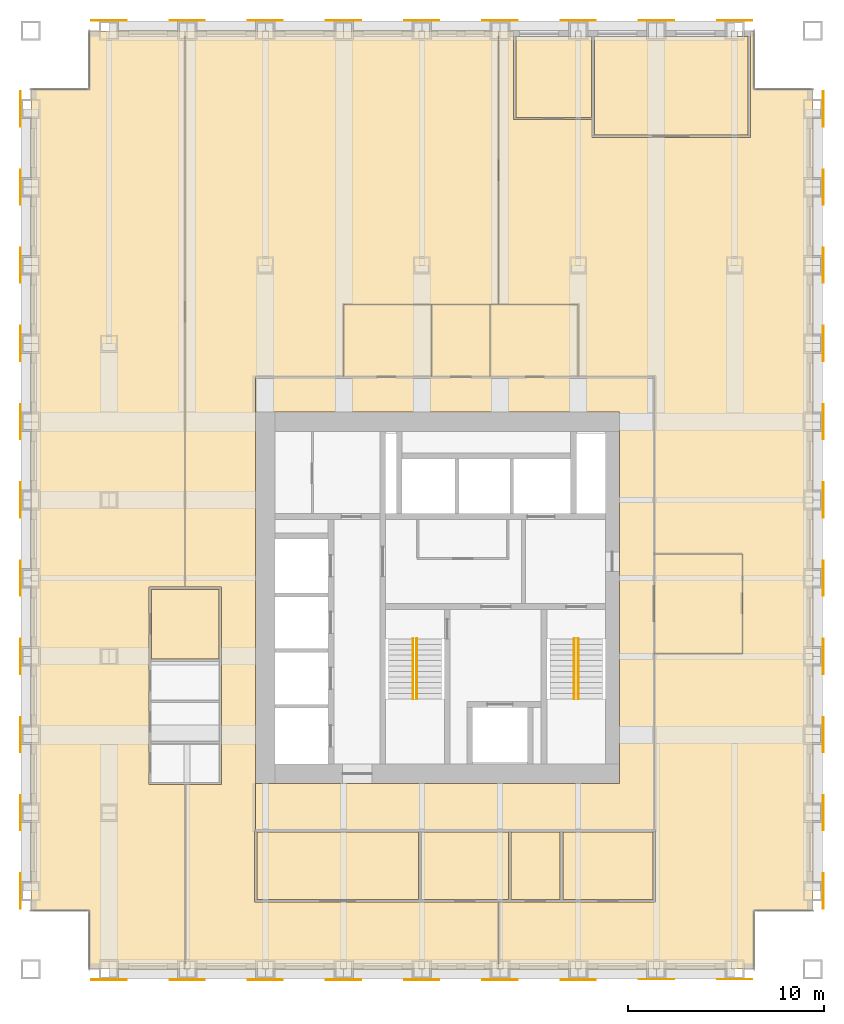
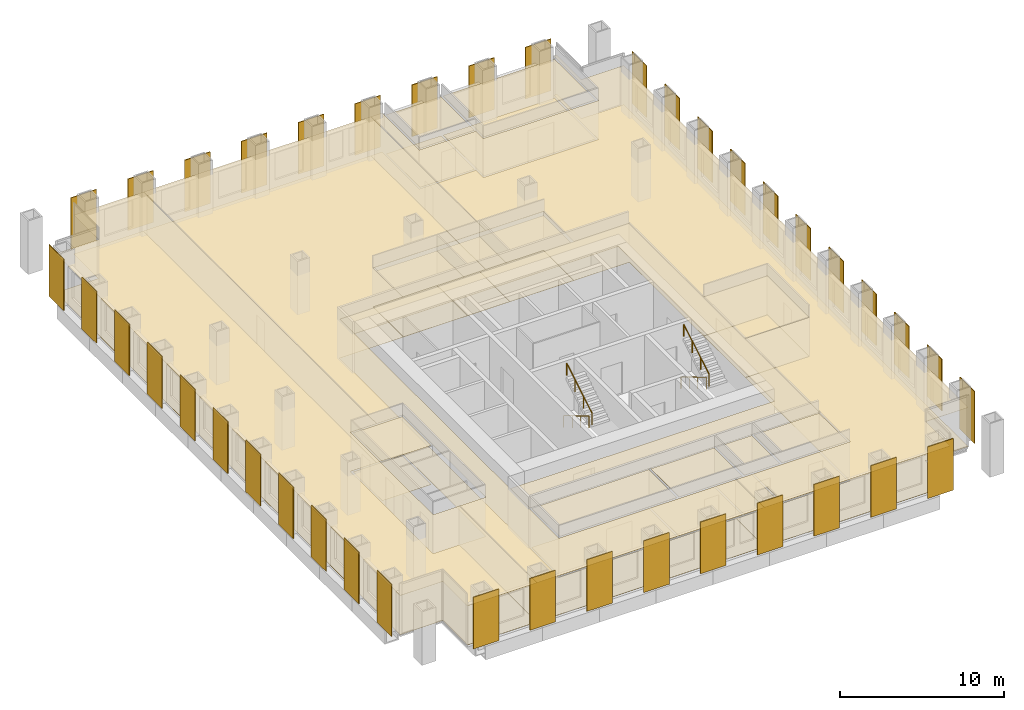
# One storey, part 13 of 13: 40 shading devices, 29 coverings, 4 railings.
"""IFC4 building model written with IfcOpenShell, lengths in metres."""

from ifc_helpers import new_model, si_unit, direction, frame, origin, origin_2d, place, context, subcontext, project, spatial, polyline, rectangle, circle, outline, extrude, material, layer, layer_set, type_object, element, save


model = new_model("IFC4")

# Units and contexts
model_context = context("Model", 3, precision=1e-05, world=origin(), true_north=direction((0.0, 1.0)))
body_context = subcontext(model_context, "Body", "Model", "MODEL_VIEW")
ifc_project = project(units=[si_unit("LENGTHUNIT", "METRE"), si_unit("AREAUNIT", "SQUARE_METRE"), si_unit("VOLUMEUNIT", "CUBIC_METRE"), si_unit("PLANEANGLEUNIT", "RADIAN"), si_unit("MASSUNIT", "GRAM", prefix="KILO")], contexts=[model_context])

# Site, building, storey
site_placement = place(None, origin())
site = spatial("IfcSite", under=ifc_project, at=site_placement, CompositionType="ELEMENT")
building_placement = place(site_placement, origin())
building = spatial("IfcBuilding", under=site, at=building_placement, Name="Rimbunsela Tower", CompositionType="ELEMENT")
storey_placement = place(building_placement, frame((0.0, 0.0, 191.800048828125)))
storey = spatial("IfcBuildingStorey", under=building, at=storey_placement, Name="L46", CompositionType="ELEMENT", Elevation=191.800048828125)

# Coverings
ifc_material_1 = material(Name="Nylon carpet tile", Category="textile")
ifc_layer_1 = layer(ifc_material_1, 0.010009765625)
ifc_layer_set_1 = layer_set([ifc_layer_1], Name="Carpet tile 10")
covering_type_1 = type_object("IfcCoveringType", Name="Carpet tile 10", PredefinedType="FLOORING", material=ifc_layer_set_1)
covering_1_placement = place(storey_placement, origin())
element("IfcCovering", 1, at=covering_1_placement, inside=storey, type_object=covering_type_1, Name="Floor finish Open office", PredefinedType="FLOORING", context=body_context, shape_type="SweptSolid", body=[
    extrude(outline(polyline([(29.925048828125, 56.0), (30.699951171875, 56.0), (30.699951171875, 51.449951171875), (34.699951171875, 51.449951171875), (34.699951171875, 50.550048828125), (37.89990234375, 50.550048828125), (42.800048828125, 50.550048828125), (42.800048828125, 56.0), (43.0, 56.0), (43.0, 53.0), (46.0, 53.0), (46.0, 11.0), (43.0, 11.0), (43.0, 8.0), (37.89990234375, 8.0), (29.925048828125, 8.0), (29.925048828125, 11.449951171875), (30.449951171875, 11.449951171875), (30.550048828125, 11.449951171875), (33.10009765625, 11.449951171875), (33.199951171875, 11.449951171875), (37.89990234375, 11.449951171875), (37.949951171875, 11.449951171875), (37.949951171875, 15.14990234375), (37.89990234375, 15.14990234375), (37.89990234375, 24.14990234375), (42.39990234375, 24.14990234375), (42.39990234375, 29.25), (37.89990234375, 29.25), (37.89990234375, 38.300048828125), (34.0, 38.300048828125), (34.0, 42.0), (29.925048828125, 42.0), (29.925048828125, 56.0)])), origin(), (0.0, 0.0, 1.0), 0.010009765625),
])
covering_2_placement = place(storey_placement, origin())
element("IfcCovering", 2, at=covering_2_placement, inside=storey, type_object=covering_type_1, Name="Floor finish Open office", PredefinedType="FLOORING", context=body_context, shape_type="SweptSolid", body=[
    extrude(outline(polyline([(13.89990234375, 8.0), (9.0, 8.0), (9.0, 11.0), (6.0, 11.0), (6.0, 53.0), (9.0, 53.0), (9.0, 56.0), (13.89990234375, 56.0), (13.89990234375, 27.550048828125), (12.050048828125, 27.550048828125), (12.050048828125, 23.85009765625), (12.050048828125, 23.75), (12.050048828125, 21.75), (12.050048828125, 21.64990234375), (12.050048828125, 19.64990234375), (12.050048828125, 19.550048828125), (12.050048828125, 17.449951171875), (13.89990234375, 17.449951171875), (13.89990234375, 8.0)])), origin(), (0.0, 0.0, 1.0), 0.010009765625),
])
covering_3_placement = place(storey_placement, origin())
element("IfcCovering", 3, at=covering_3_placement, inside=storey, type_object=covering_type_1, Name="Floor finish Open office", PredefinedType="FLOORING", context=body_context, shape_type="SweptSolid", body=[
    extrude(outline(polyline([(17.5, 8.0), (13.89990234375, 8.0), (13.89990234375, 17.449951171875), (15.75, 17.449951171875), (15.75, 19.550048828125), (15.75, 19.64990234375), (15.75, 21.64990234375), (15.75, 21.75), (15.75, 23.75), (15.75, 23.85009765625), (15.75, 27.550048828125), (13.89990234375, 27.550048828125), (13.89990234375, 56.0), (17.5, 56.0), (29.925048828125, 56.0), (29.925048828125, 42.0), (22.0, 42.0), (22.0, 38.300048828125), (17.5, 38.300048828125), (17.5, 36.5), (17.5, 17.5), (17.5, 15.14990234375), (17.449951171875, 15.14990234375), (17.449951171875, 11.449951171875), (17.5, 11.449951171875), (25.85009765625, 11.449951171875), (25.949951171875, 11.449951171875), (29.925048828125, 11.449951171875), (29.925048828125, 8.0), (17.5, 8.0)])), origin(), (0.0, 0.0, 1.0), 0.010009765625),
])
covering_4_placement = place(storey_placement, origin())
element("IfcCovering", 4, at=covering_4_placement, inside=storey, type_object=covering_type_1, Name="Floor finish Reception", PredefinedType="FLOORING", context=body_context, shape_type="SweptSolid", body=[
    extrude(outline(polyline([(42.39990234375, 24.14990234375), (42.39990234375, 29.25), (37.89990234375, 29.25), (37.89990234375, 24.14990234375), (42.39990234375, 24.14990234375)])), origin(), (0.0, 0.0, 1.0), 0.010009765625),
])
covering_5_placement = place(storey_placement, origin())
element("IfcCovering", 5, at=covering_5_placement, inside=storey, type_object=covering_type_1, Name="Floor finish Executive office", PredefinedType="FLOORING", context=body_context, shape_type="SweptSolid", body=[
    extrude(outline(polyline([(34.675048828125, 51.574951171875), (34.675048828125, 55.699951171875), (30.824951171875, 55.699951171875), (30.824951171875, 51.574951171875), (34.675048828125, 51.574951171875)])), origin(), (0.0, 0.0, 1.0), 0.010009765625),
])
covering_6_placement = place(storey_placement, origin())
element("IfcCovering", 6, at=covering_6_placement, inside=storey, type_object=covering_type_1, Name="Floor finish Boardroom", PredefinedType="FLOORING", context=body_context, shape_type="SweptSolid", body=[
    extrude(outline(polyline([(42.675048828125, 50.675048828125), (42.675048828125, 55.699951171875), (34.824951171875, 55.699951171875), (34.824951171875, 50.675048828125), (42.675048828125, 50.675048828125)])), origin(), (0.0, 0.0, 1.0), 0.010009765625),
])
covering_7_placement = place(storey_placement, origin())
element("IfcCovering", 7, at=covering_7_placement, inside=storey, type_object=covering_type_1, Name="Floor finish Training room", PredefinedType="FLOORING", context=body_context, shape_type="SweptSolid", body=[
    extrude(outline(polyline([(25.824951171875, 11.574951171875), (25.824951171875, 15.02490234375), (17.574951171875, 15.02490234375), (17.574951171875, 11.574951171875), (25.824951171875, 11.574951171875)])), origin(), (0.0, 0.0, 1.0), 0.010009765625),
])
covering_8_placement = place(storey_placement, origin())
element("IfcCovering", 8, at=covering_8_placement, inside=storey, type_object=covering_type_1, Name="Floor finish Pantry", PredefinedType="FLOORING", context=body_context, shape_type="SweptSolid", body=[
    extrude(outline(polyline([(30.425048828125, 11.574951171875), (30.425048828125, 15.02490234375), (25.97509765625, 15.02490234375), (25.97509765625, 11.574951171875), (30.425048828125, 11.574951171875)])), origin(), (0.0, 0.0, 1.0), 0.010009765625),
])
covering_9_placement = place(storey_placement, origin())
element("IfcCovering", 9, at=covering_9_placement, inside=storey, type_object=covering_type_1, Name="Floor finish Print and copy room", PredefinedType="FLOORING", context=body_context, shape_type="SweptSolid", body=[
    extrude(outline(polyline([(33.074951171875, 11.574951171875), (33.074951171875, 15.02490234375), (30.574951171875, 15.02490234375), (30.574951171875, 11.574951171875), (33.074951171875, 11.574951171875)])), origin(), (0.0, 0.0, 1.0), 0.010009765625),
])
covering_10_placement = place(storey_placement, origin())
element("IfcCovering", 10, at=covering_10_placement, inside=storey, type_object=covering_type_1, Name="Floor finish Office", PredefinedType="FLOORING", context=body_context, shape_type="SweptSolid", body=[
    extrude(outline(polyline([(37.824951171875, 11.574951171875), (37.824951171875, 15.02490234375), (33.22509765625, 15.02490234375), (33.22509765625, 11.574951171875), (37.824951171875, 11.574951171875)])), origin(), (0.0, 0.0, 1.0), 0.010009765625),
])
covering_11_placement = place(storey_placement, origin())
element("IfcCovering", 11, at=covering_11_placement, inside=storey, type_object=covering_type_1, Name="Floor finish Meeting room", PredefinedType="FLOORING", context=body_context, shape_type="SweptSolid", body=[
    extrude(outline(polyline([(15.625, 23.875), (15.625, 27.425048828125), (12.175048828125, 27.425048828125), (12.175048828125, 23.875), (15.625, 23.875)])), origin(), (0.0, 0.0, 1.0), 0.010009765625),
])
ifc_material_2 = material(Name="Mineral fibre ceiling tile", Category="gypsum")
ifc_layer_2 = layer(ifc_material_2, 0.02001953125)
ifc_layer_set_2 = layer_set([ifc_layer_2], Name="Ceiling 600 grid")
covering_type_2 = type_object("IfcCoveringType", Name="Ceiling 600 grid", PredefinedType="CEILING", material=ifc_layer_set_2)
covering_12_placement = place(storey_placement, frame((0.0, 0.0, 2.89990234375)))
element("IfcCovering", 12, at=covering_12_placement, inside=storey, type_object=covering_type_2, Name="Ceiling U-shaped corridor", PredefinedType="CEILING", context=body_context, shape_type="SweptSolid", body=[
    extrude(outline(polyline([(37.89990234375, 38.300048828125), (37.89990234375, 15.10009765625), (17.5, 15.10009765625), (17.5, 17.5), (36.10009765625, 17.5), (36.10009765625, 36.5), (17.5, 36.5), (17.5, 38.300048828125), (37.89990234375, 38.300048828125)])), origin(), (0.0, 0.0, 1.0), 0.02001953125),
])
covering_13_placement = place(storey_placement, frame((0.0, 0.0, 2.89990234375)))
element("IfcCovering", 13, at=covering_13_placement, inside=storey, type_object=covering_type_2, Name="Ceiling Open office", PredefinedType="CEILING", context=body_context, shape_type="SweptSolid", body=[
    extrude(outline(polyline([(29.925048828125, 56.0), (30.699951171875, 56.0), (30.699951171875, 51.449951171875), (34.699951171875, 51.449951171875), (34.699951171875, 50.550048828125), (37.89990234375, 50.550048828125), (42.800048828125, 50.550048828125), (42.800048828125, 56.0), (43.0, 56.0), (43.0, 53.0), (46.0, 53.0), (46.0, 11.0), (43.0, 11.0), (43.0, 8.0), (37.89990234375, 8.0), (29.925048828125, 8.0), (29.925048828125, 11.449951171875), (30.449951171875, 11.449951171875), (30.550048828125, 11.449951171875), (33.10009765625, 11.449951171875), (33.199951171875, 11.449951171875), (37.89990234375, 11.449951171875), (37.949951171875, 11.449951171875), (37.949951171875, 15.14990234375), (37.89990234375, 15.14990234375), (37.89990234375, 24.14990234375), (42.39990234375, 24.14990234375), (42.39990234375, 29.25), (37.89990234375, 29.25), (37.89990234375, 38.300048828125), (34.0, 38.300048828125), (34.0, 42.0), (29.925048828125, 42.0), (29.925048828125, 56.0)])), origin(), (0.0, 0.0, 1.0), 0.02001953125),
])
covering_14_placement = place(storey_placement, frame((0.0, 0.0, 2.89990234375)))
element("IfcCovering", 14, at=covering_14_placement, inside=storey, type_object=covering_type_2, Name="Ceiling Open office", PredefinedType="CEILING", context=body_context, shape_type="SweptSolid", body=[
    extrude(outline(polyline([(13.89990234375, 8.0), (9.0, 8.0), (9.0, 11.0), (6.0, 11.0), (6.0, 53.0), (9.0, 53.0), (9.0, 56.0), (13.89990234375, 56.0), (13.89990234375, 27.550048828125), (12.050048828125, 27.550048828125), (12.050048828125, 23.85009765625), (12.050048828125, 23.75), (12.050048828125, 21.75), (12.050048828125, 21.64990234375), (12.050048828125, 19.64990234375), (12.050048828125, 19.550048828125), (12.050048828125, 17.449951171875), (13.89990234375, 17.449951171875), (13.89990234375, 8.0)])), origin(), (0.0, 0.0, 1.0), 0.02001953125),
])
covering_15_placement = place(storey_placement, frame((0.0, 0.0, 2.89990234375)))
element("IfcCovering", 15, at=covering_15_placement, inside=storey, type_object=covering_type_2, Name="Ceiling Open office", PredefinedType="CEILING", context=body_context, shape_type="SweptSolid", body=[
    extrude(outline(polyline([(17.5, 8.0), (13.89990234375, 8.0), (13.89990234375, 17.449951171875), (15.75, 17.449951171875), (15.75, 19.550048828125), (15.75, 19.64990234375), (15.75, 21.64990234375), (15.75, 21.75), (15.75, 23.75), (15.75, 23.85009765625), (15.75, 27.550048828125), (13.89990234375, 27.550048828125), (13.89990234375, 56.0), (17.5, 56.0), (29.925048828125, 56.0), (29.925048828125, 42.0), (22.0, 42.0), (22.0, 38.300048828125), (17.5, 38.300048828125), (17.5, 36.5), (17.5, 17.5), (17.5, 15.14990234375), (17.449951171875, 15.14990234375), (17.449951171875, 11.449951171875), (17.5, 11.449951171875), (25.85009765625, 11.449951171875), (25.949951171875, 11.449951171875), (29.925048828125, 11.449951171875), (29.925048828125, 8.0), (17.5, 8.0)])), origin(), (0.0, 0.0, 1.0), 0.02001953125),
])
covering_16_placement = place(storey_placement, frame((0.0, 0.0, 2.89990234375)))
element("IfcCovering", 16, at=covering_16_placement, inside=storey, type_object=covering_type_2, Name="Ceiling Reception", PredefinedType="CEILING", context=body_context, shape_type="SweptSolid", body=[
    extrude(outline(polyline([(42.39990234375, 24.14990234375), (42.39990234375, 29.25), (37.89990234375, 29.25), (37.89990234375, 24.14990234375), (42.39990234375, 24.14990234375)])), origin(), (0.0, 0.0, 1.0), 0.02001953125),
])
covering_17_placement = place(storey_placement, frame((0.0, 0.0, 2.89990234375)))
element("IfcCovering", 17, at=covering_17_placement, inside=storey, type_object=covering_type_2, Name="Ceiling Executive office", PredefinedType="CEILING", context=body_context, shape_type="SweptSolid", body=[
    extrude(outline(polyline([(34.675048828125, 51.574951171875), (34.675048828125, 55.699951171875), (30.824951171875, 55.699951171875), (30.824951171875, 51.574951171875), (34.675048828125, 51.574951171875)])), origin(), (0.0, 0.0, 1.0), 0.02001953125),
])
covering_18_placement = place(storey_placement, frame((0.0, 0.0, 2.89990234375)))
element("IfcCovering", 18, at=covering_18_placement, inside=storey, type_object=covering_type_2, Name="Ceiling Boardroom", PredefinedType="CEILING", context=body_context, shape_type="SweptSolid", body=[
    extrude(outline(polyline([(42.675048828125, 50.675048828125), (42.675048828125, 55.699951171875), (34.824951171875, 55.699951171875), (34.824951171875, 50.675048828125), (42.675048828125, 50.675048828125)])), origin(), (0.0, 0.0, 1.0), 0.02001953125),
])
covering_19_placement = place(storey_placement, frame((0.0, 0.0, 2.89990234375)))
element("IfcCovering", 19, at=covering_19_placement, inside=storey, type_object=covering_type_2, Name="Ceiling Training room", PredefinedType="CEILING", context=body_context, shape_type="SweptSolid", body=[
    extrude(outline(polyline([(25.824951171875, 11.574951171875), (25.824951171875, 15.02490234375), (17.574951171875, 15.02490234375), (17.574951171875, 11.574951171875), (25.824951171875, 11.574951171875)])), origin(), (0.0, 0.0, 1.0), 0.02001953125),
])
covering_20_placement = place(storey_placement, frame((0.0, 0.0, 2.89990234375)))
element("IfcCovering", 20, at=covering_20_placement, inside=storey, type_object=covering_type_2, Name="Ceiling Pantry", PredefinedType="CEILING", context=body_context, shape_type="SweptSolid", body=[
    extrude(outline(polyline([(30.425048828125, 11.574951171875), (30.425048828125, 15.02490234375), (25.97509765625, 15.02490234375), (25.97509765625, 11.574951171875), (30.425048828125, 11.574951171875)])), origin(), (0.0, 0.0, 1.0), 0.02001953125),
])
covering_21_placement = place(storey_placement, frame((0.0, 0.0, 2.89990234375)))
element("IfcCovering", 21, at=covering_21_placement, inside=storey, type_object=covering_type_2, Name="Ceiling Print and copy room", PredefinedType="CEILING", context=body_context, shape_type="SweptSolid", body=[
    extrude(outline(polyline([(33.074951171875, 11.574951171875), (33.074951171875, 15.02490234375), (30.574951171875, 15.02490234375), (30.574951171875, 11.574951171875), (33.074951171875, 11.574951171875)])), origin(), (0.0, 0.0, 1.0), 0.02001953125),
])
covering_22_placement = place(storey_placement, frame((0.0, 0.0, 2.89990234375)))
element("IfcCovering", 22, at=covering_22_placement, inside=storey, type_object=covering_type_2, Name="Ceiling Office", PredefinedType="CEILING", context=body_context, shape_type="SweptSolid", body=[
    extrude(outline(polyline([(37.824951171875, 11.574951171875), (37.824951171875, 15.02490234375), (33.22509765625, 15.02490234375), (33.22509765625, 11.574951171875), (37.824951171875, 11.574951171875)])), origin(), (0.0, 0.0, 1.0), 0.02001953125),
])
covering_23_placement = place(storey_placement, frame((0.0, 0.0, 2.89990234375)))
element("IfcCovering", 23, at=covering_23_placement, inside=storey, type_object=covering_type_2, Name="Ceiling Meeting room", PredefinedType="CEILING", context=body_context, shape_type="SweptSolid", body=[
    extrude(outline(polyline([(15.625, 23.875), (15.625, 27.425048828125), (12.175048828125, 27.425048828125), (12.175048828125, 23.875), (15.625, 23.875)])), origin(), (0.0, 0.0, 1.0), 0.02001953125),
])
ifc_material_3 = material(Name="Moisture-resistant plasterboard ceiling", Category="gypsum")
ifc_layer_3 = layer(ifc_material_3, 0.012451171875)
ifc_layer_set_3 = layer_set([ifc_layer_3], Name="Ceiling moisture-resistant board")
covering_type_3 = type_object("IfcCoveringType", Name="Ceiling moisture-resistant board", PredefinedType="CEILING", material=ifc_layer_set_3)
covering_24_placement = place(storey_placement, frame((0.0, 0.0, 2.599853515625)))
element("IfcCovering", 24, at=covering_24_placement, inside=storey, type_object=covering_type_3, Name="Ceiling Female WC", PredefinedType="CEILING", context=body_context, shape_type="SweptSolid", body=[
    extrude(outline(polyline([(26.5, 38.300048828125), (26.5, 42.0), (22.0, 42.0), (22.0, 38.300048828125), (26.5, 38.300048828125)])), origin(), (0.0, 0.0, 1.0), 0.02001953125),
])
covering_25_placement = place(storey_placement, frame((0.0, 0.0, 2.599853515625)))
element("IfcCovering", 25, at=covering_25_placement, inside=storey, type_object=covering_type_3, Name="Ceiling Accessible WC", PredefinedType="CEILING", context=body_context, shape_type="SweptSolid", body=[
    extrude(outline(polyline([(29.5, 38.300048828125), (29.5, 42.0), (26.5, 42.0), (26.5, 38.300048828125), (29.5, 38.300048828125)])), origin(), (0.0, 0.0, 1.0), 0.02001953125),
])
covering_26_placement = place(storey_placement, frame((0.0, 0.0, 2.599853515625)))
element("IfcCovering", 26, at=covering_26_placement, inside=storey, type_object=covering_type_3, Name="Ceiling Male WC", PredefinedType="CEILING", context=body_context, shape_type="SweptSolid", body=[
    extrude(outline(polyline([(34.0, 38.300048828125), (34.0, 42.0), (29.5, 42.0), (29.5, 38.300048828125), (34.0, 38.300048828125)])), origin(), (0.0, 0.0, 1.0), 0.02001953125),
])
ifc_material_4 = material(Name="Porcelain floor tile in adhesive bed", Category="ceramic")
ifc_layer_4 = layer(ifc_material_4, 0.02001953125)
ifc_layer_set_4 = layer_set([ifc_layer_4], Name="Porcelain tile 20")
covering_type_4 = type_object("IfcCoveringType", Name="Porcelain tile 20", PredefinedType="FLOORING", material=ifc_layer_set_4)
covering_27_placement = place(storey_placement, origin())
element("IfcCovering", 27, at=covering_27_placement, inside=storey, type_object=covering_type_4, Name="Floor finish Female WC", PredefinedType="FLOORING", context=body_context, shape_type="SweptSolid", body=[
    extrude(outline(polyline([(26.5, 38.300048828125), (26.5, 42.0), (22.0, 42.0), (22.0, 38.300048828125), (26.5, 38.300048828125)])), origin(), (0.0, 0.0, 1.0), 0.02001953125),
])
covering_28_placement = place(storey_placement, origin())
element("IfcCovering", 28, at=covering_28_placement, inside=storey, type_object=covering_type_4, Name="Floor finish Accessible WC", PredefinedType="FLOORING", context=body_context, shape_type="SweptSolid", body=[
    extrude(outline(polyline([(29.5, 38.300048828125), (29.5, 42.0), (26.5, 42.0), (26.5, 38.300048828125), (29.5, 38.300048828125)])), origin(), (0.0, 0.0, 1.0), 0.02001953125),
])
covering_29_placement = place(storey_placement, origin())
element("IfcCovering", 29, at=covering_29_placement, inside=storey, type_object=covering_type_4, Name="Floor finish Male WC", PredefinedType="FLOORING", context=body_context, shape_type="SweptSolid", body=[
    extrude(outline(polyline([(34.0, 38.300048828125), (34.0, 42.0), (29.5, 42.0), (29.5, 38.300048828125), (34.0, 38.300048828125)])), origin(), (0.0, 0.0, 1.0), 0.02001953125),
])

# Shading devices
ifc_material_5 = material(Name="Perforated aluminium, 35 % open area", Category="aluminium")
ifc_layer_5 = layer(ifc_material_5, 0.050048828125)
ifc_layer_set_5 = layer_set([ifc_layer_5], Name="Solar screen panel 1800")
shading_device_type = type_object("IfcShadingDeviceType", Name="Solar screen panel 1800", PredefinedType="USERDEFINED", material=ifc_layer_set_5)
for number, where, z_axis, x_axis, name in (
    (30, (10.0, 7.47509765625, 0.0), (0.0, 0.0, 1.0), (1.0, 0.0, 0.0), "Solar screen S L46"),
    (31, (14.0, 7.47509765625, 0.0), (0.0, 0.0, 1.0), (1.0, 0.0, 0.0), "Solar screen S L46"),
    (32, (18.0, 7.47509765625, 0.0), (0.0, 0.0, 1.0), (1.0, 0.0, 0.0), "Solar screen S L46"),
    (33, (22.0, 7.47509765625, 0.0), (0.0, 0.0, 1.0), (1.0, 0.0, 0.0), "Solar screen S L46"),
    (34, (26.0, 7.47509765625, 0.0), (0.0, 0.0, 1.0), (1.0, 0.0, 0.0), "Solar screen S L46"),
    (35, (30.0, 7.47509765625, 0.0), (0.0, 0.0, 1.0), (1.0, 0.0, 0.0), "Solar screen S L46"),
    (36, (34.0, 7.47509765625, 0.0), (0.0, 0.0, 1.0), (1.0, 0.0, 0.0), "Solar screen S L46"),
    (37, (38.0, 7.47509765625, 0.0), (0.0, 0.0, 1.0), (1.0, 0.0, 0.0), "Solar screen S L46"),
    (38, (42.0, 7.47509765625, 0.0), (0.0, 0.0, 1.0), (1.0, 0.0, 0.0), "Solar screen S L46"),
    (39, (46.52490234375, 12.0, 0.0), (0.0, 0.0, 1.0), (0.0, 1.0, 0.0), "Solar screen E L46"),
    (40, (46.52490234375, 16.0, 0.0), (0.0, 0.0, 1.0), (0.0, 1.0, 0.0), "Solar screen E L46"),
    (41, (46.52490234375, 20.0, 0.0), (0.0, 0.0, 1.0), (0.0, 1.0, 0.0), "Solar screen E L46"),
    (42, (46.52490234375, 24.0, 0.0), (0.0, 0.0, 1.0), (0.0, 1.0, 0.0), "Solar screen E L46"),
    (43, (46.52490234375, 28.0, 0.0), (0.0, 0.0, 1.0), (0.0, 1.0, 0.0), "Solar screen E L46"),
    (44, (46.52490234375, 32.0, 0.0), (0.0, 0.0, 1.0), (0.0, 1.0, 0.0), "Solar screen E L46"),
    (45, (46.52490234375, 36.0, 0.0), (0.0, 0.0, 1.0), (0.0, 1.0, 0.0), "Solar screen E L46"),
    (46, (46.52490234375, 40.0, 0.0), (0.0, 0.0, 1.0), (0.0, 1.0, 0.0), "Solar screen E L46"),
    (47, (46.52490234375, 44.0, 0.0), (0.0, 0.0, 1.0), (0.0, 1.0, 0.0), "Solar screen E L46"),
    (48, (46.52490234375, 48.0, 0.0), (0.0, 0.0, 1.0), (0.0, 1.0, 0.0), "Solar screen E L46"),
    (49, (46.52490234375, 52.0, 0.0), (0.0, 0.0, 1.0), (0.0, 1.0, 0.0), "Solar screen E L46"),
    (50, (10.0, 56.52490234375, 0.0), (0.0, 0.0, 1.0), (1.0, 0.0, 0.0), "Solar screen N L46"),
    (51, (14.0, 56.52490234375, 0.0), (0.0, 0.0, 1.0), (1.0, 0.0, 0.0), "Solar screen N L46"),
    (52, (18.0, 56.52490234375, 0.0), (0.0, 0.0, 1.0), (1.0, 0.0, 0.0), "Solar screen N L46"),
    (53, (22.0, 56.52490234375, 0.0), (0.0, 0.0, 1.0), (1.0, 0.0, 0.0), "Solar screen N L46"),
    (54, (26.0, 56.52490234375, 0.0), (0.0, 0.0, 1.0), (1.0, 0.0, 0.0), "Solar screen N L46"),
    (55, (30.0, 56.52490234375, 0.0), (0.0, 0.0, 1.0), (1.0, 0.0, 0.0), "Solar screen N L46"),
    (56, (34.0, 56.52490234375, 0.0), (0.0, 0.0, 1.0), (1.0, 0.0, 0.0), "Solar screen N L46"),
    (57, (38.0, 56.52490234375, 0.0), (0.0, 0.0, 1.0), (1.0, 0.0, 0.0), "Solar screen N L46"),
    (58, (42.0, 56.52490234375, 0.0), (0.0, 0.0, 1.0), (1.0, 0.0, 0.0), "Solar screen N L46"),
    (59, (5.47509765625, 12.0, 0.0), (0.0, 0.0, 1.0), (0.0, 1.0, 0.0), "Solar screen W L46"),
    (60, (5.47509765625, 16.0, 0.0), (0.0, 0.0, 1.0), (0.0, 1.0, 0.0), "Solar screen W L46"),
    (61, (5.47509765625, 20.0, 0.0), (0.0, 0.0, 1.0), (0.0, 1.0, 0.0), "Solar screen W L46"),
    (62, (5.47509765625, 24.0, 0.0), (0.0, 0.0, 1.0), (0.0, 1.0, 0.0), "Solar screen W L46"),
    (63, (5.47509765625, 28.0, 0.0), (0.0, 0.0, 1.0), (0.0, 1.0, 0.0), "Solar screen W L46"),
    (64, (5.47509765625, 32.0, 0.0), (0.0, 0.0, 1.0), (0.0, 1.0, 0.0), "Solar screen W L46"),
    (65, (5.47509765625, 36.0, 0.0), (0.0, 0.0, 1.0), (0.0, 1.0, 0.0), "Solar screen W L46"),
    (66, (5.47509765625, 40.0, 0.0), (0.0, 0.0, 1.0), (0.0, 1.0, 0.0), "Solar screen W L46"),
    (67, (5.47509765625, 44.0, 0.0), (0.0, 0.0, 1.0), (0.0, 1.0, 0.0), "Solar screen W L46"),
    (68, (5.47509765625, 48.0, 0.0), (0.0, 0.0, 1.0), (0.0, 1.0, 0.0), "Solar screen W L46"),
    (69, (5.47509765625, 52.0, 0.0), (0.0, 0.0, 1.0), (0.0, 1.0, 0.0), "Solar screen W L46"),
):
    element("IfcShadingDevice", number, at=place(storey_placement, frame(where, z_axis=z_axis, x_axis=x_axis)), inside=storey, type_object=shading_device_type, Name=name, ObjectType="SCREEN", PredefinedType="USERDEFINED", context=body_context, shape_type="SweptSolid", body=[
        extrude(rectangle(XDim=1.800048828125, YDim=0.050048828125, at=origin_2d()), origin(), (0.0, 0.0, 1.0), 3.85009765625),
    ])

# Railings
ifc_material_6 = material(Name="Stainless steel tube", Category="steel")
railing_type = type_object("IfcRailingType", Name="Stair handrail 900", PredefinedType="HANDRAIL", material=ifc_material_6)
railing_1_placement = place(storey_placement, frame((25.550048828125, 24.89990234375, 0.16650390625)))
element("IfcRailing", 70, at=railing_1_placement, inside=storey, type_object=railing_type, Name="Handrail ST-A flight 1", PredefinedType="HANDRAIL", context=body_context, shape_type="SweptSolid", body=[
    extrude(circle(Radius=0.02392578125, at=origin_2d()), frame((0.0, 0.0, 0.8759765625), z_axis=(0.0, -0.859260807169, 0.511537745687), x_axis=(1.0, 0.0, 0.0)), (0.0, 0.0, 1.0), 3.584228515625),
    extrude(circle(Radius=0.02099609375, at=origin_2d()), origin(), (0.0, 0.0, 1.0), 0.851806640625),
    extrude(circle(Radius=0.02099609375, at=origin_2d()), frame((0.0, -1.026611328125, 0.611083984375)), (0.0, 0.0, 1.0), 0.851806640625),
    extrude(circle(Radius=0.02099609375, at=origin_2d()), frame((0.0, -2.05322265625, 1.222412109375)), (0.0, 0.0, 1.0), 0.851806640625),
    extrude(circle(Radius=0.02099609375, at=origin_2d()), frame((0.0, -3.079833984375, 1.83349609375)), (0.0, 0.0, 1.0), 0.851806640625),
])
railing_2_placement = place(storey_placement, frame((25.75, 21.820068359375, 2.16650390625)))
element("IfcRailing", 71, at=railing_2_placement, inside=storey, type_object=railing_type, Name="Handrail ST-A flight 2", PredefinedType="HANDRAIL", context=body_context, shape_type="SweptSolid", body=[
    extrude(circle(Radius=0.02392578125, at=origin_2d()), frame((0.0, 0.0, 0.8759765625), z_axis=(0.0, 0.859260807169, 0.511537745687), x_axis=(-1.0, 0.0, 0.0)), (0.0, 0.0, 1.0), 3.584228515625),
    extrude(circle(Radius=0.02099609375, at=origin_2d()), origin(), (0.0, 0.0, 1.0), 0.851806640625),
    extrude(circle(Radius=0.02099609375, at=origin_2d()), frame((0.0, 1.026611328125, 0.611083984375)), (0.0, 0.0, 1.0), 0.851806640625),
    extrude(circle(Radius=0.02099609375, at=origin_2d()), frame((0.0, 2.05322265625, 1.222412109375)), (0.0, 0.0, 1.0), 0.851806640625),
    extrude(circle(Radius=0.02099609375, at=origin_2d()), frame((0.0, 3.079833984375, 1.83349609375)), (0.0, 0.0, 1.0), 0.851806640625),
])
railing_3_placement = place(storey_placement, frame((33.800048828125, 24.89990234375, 0.16650390625)))
element("IfcRailing", 72, at=railing_3_placement, inside=storey, type_object=railing_type, Name="Handrail ST-B flight 1", PredefinedType="HANDRAIL", context=body_context, shape_type="SweptSolid", body=[
    extrude(circle(Radius=0.02392578125, at=origin_2d()), frame((0.0, 0.0, 0.8759765625), z_axis=(0.0, -0.859260807169, 0.511537745687), x_axis=(1.0, 0.0, 0.0)), (0.0, 0.0, 1.0), 3.584228515625),
    extrude(circle(Radius=0.02099609375, at=origin_2d()), origin(), (0.0, 0.0, 1.0), 0.851806640625),
    extrude(circle(Radius=0.02099609375, at=origin_2d()), frame((0.0, -1.026611328125, 0.611083984375)), (0.0, 0.0, 1.0), 0.851806640625),
    extrude(circle(Radius=0.02099609375, at=origin_2d()), frame((0.0, -2.05322265625, 1.222412109375)), (0.0, 0.0, 1.0), 0.851806640625),
    extrude(circle(Radius=0.02099609375, at=origin_2d()), frame((0.0, -3.079833984375, 1.83349609375)), (0.0, 0.0, 1.0), 0.851806640625),
])
railing_4_placement = place(storey_placement, frame((34.0, 21.820068359375, 2.16650390625)))
element("IfcRailing", 73, at=railing_4_placement, inside=storey, type_object=railing_type, Name="Handrail ST-B flight 2", PredefinedType="HANDRAIL", context=body_context, shape_type="SweptSolid", body=[
    extrude(circle(Radius=0.02392578125, at=origin_2d()), frame((0.0, 0.0, 0.8759765625), z_axis=(0.0, 0.859260807169, 0.511537745687), x_axis=(-1.0, 0.0, 0.0)), (0.0, 0.0, 1.0), 3.584228515625),
    extrude(circle(Radius=0.02099609375, at=origin_2d()), origin(), (0.0, 0.0, 1.0), 0.851806640625),
    extrude(circle(Radius=0.02099609375, at=origin_2d()), frame((0.0, 1.026611328125, 0.611083984375)), (0.0, 0.0, 1.0), 0.851806640625),
    extrude(circle(Radius=0.02099609375, at=origin_2d()), frame((0.0, 2.05322265625, 1.222412109375)), (0.0, 0.0, 1.0), 0.851806640625),
    extrude(circle(Radius=0.02099609375, at=origin_2d()), frame((0.0, 3.079833984375, 1.83349609375)), (0.0, 0.0, 1.0), 0.851806640625),
])

save(model, "model.ifc")
